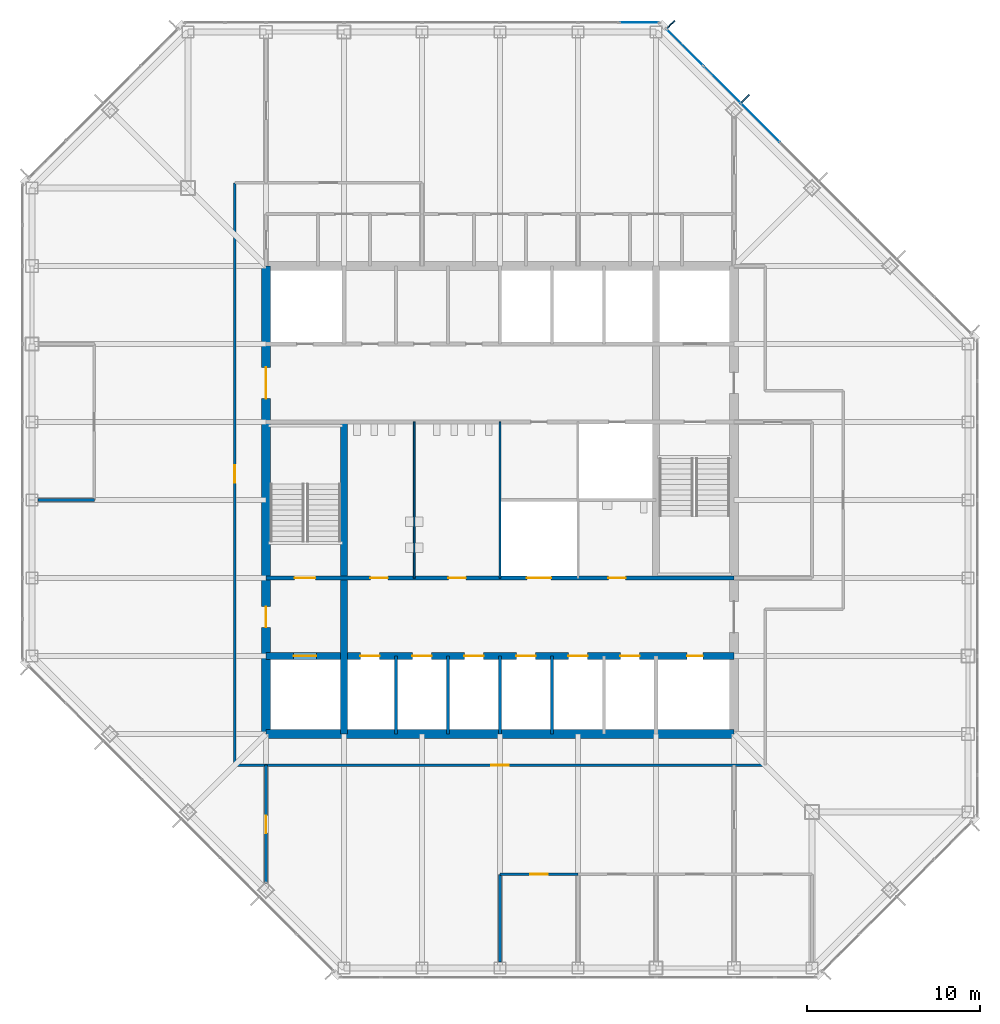
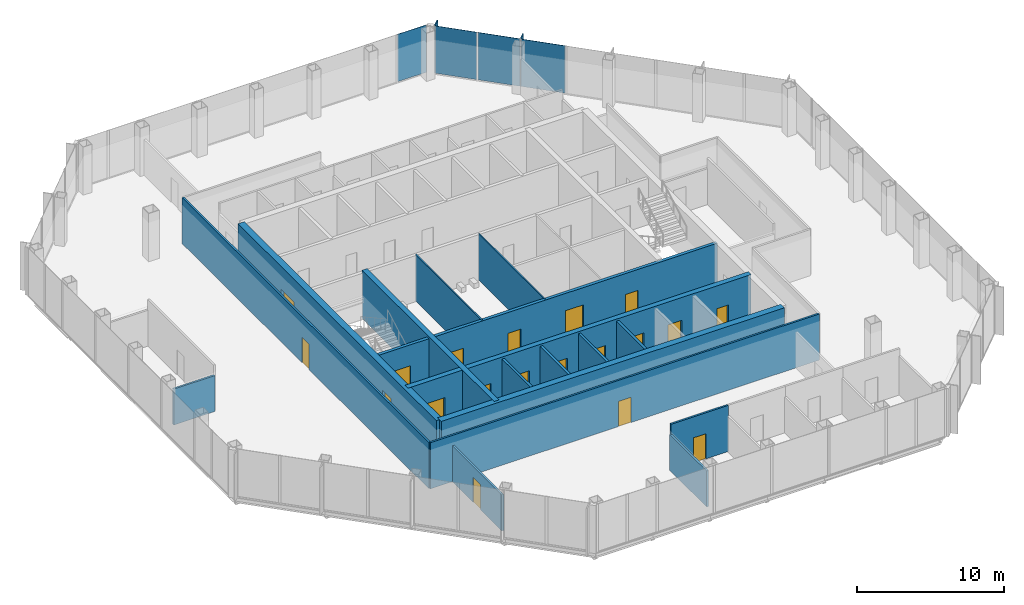
# One storey, part 8 of 12: 19 doors, 17 walls, 6 plates, 19 openings, 2 elements without a shape of their own.
"""IFC4 building model written with IfcOpenShell, lengths in metres."""

from ifc_helpers import new_model, si_unit, direction, frame, frame_2d, origin, origin_2d, place, context, subcontext, project, spatial, rectangle, extrude, material, layer, layer_set, type_object, element, fill, aggregate, save


model = new_model("IFC4")

# Units and contexts
model_context = context("Model", 3, precision=1e-05, world=origin(), true_north=direction((0.0, 1.0)))
body_context = subcontext(model_context, "Body", "Model", "MODEL_VIEW")
ifc_project = project(units=[si_unit("LENGTHUNIT", "METRE"), si_unit("AREAUNIT", "SQUARE_METRE"), si_unit("VOLUMEUNIT", "CUBIC_METRE"), si_unit("PLANEANGLEUNIT", "RADIAN"), si_unit("MASSUNIT", "GRAM", prefix="KILO")], contexts=[model_context])

# Site, building, storey
site_placement = place(None, origin())
site = spatial("IfcSite", under=ifc_project, at=site_placement, CompositionType="ELEMENT")
building_placement = place(site_placement, origin())
building = spatial("IfcBuilding", under=site, at=building_placement, Name="Corais Broadcast Tower", CompositionType="ELEMENT")
storey_placement = place(building_placement, frame((0.0, 0.0, 159.60009765625)))
storey = spatial("IfcBuildingStorey", under=building, at=storey_placement, Name="L36", CompositionType="ELEMENT", Elevation=159.60009765625)

# Curtain wall, plates
ifc_material_1 = material(Name="Aluminium and glass", Category="aluminium")
curtain_wall_type = type_object("IfcCurtainWallType", Name="Unitised fritted curtain wall CW2", PredefinedType="NOTDEFINED", material=ifc_material_1)
curtain_wall_1_placement = place(storey_placement, origin())
curtain_wall_1 = element("IfcCurtainWall", 1, at=curtain_wall_1_placement, inside=storey, type_object=curtain_wall_type, Name="CW2 curtain wall L36 5", PredefinedType="NOTDEFINED")
ifc_material_2 = material(Name="Ceramic-fritted laminated glass", Category="glass")
ifc_layer_1 = layer(ifc_material_2, 0.028076171875)
ifc_layer_set_1 = layer_set([ifc_layer_1], Name="Ceramic-fritted laminated glass")
plate_type_1 = type_object("IfcPlateType", Name="Fritted glass panel CW2", PredefinedType="CURTAIN_PANEL", material=ifc_layer_set_1)
plate_1_placement = place(storey_placement, frame((37.669677734375, 53.108154296875, 0.06494140625), z_axis=(0.0, 0.0, 1.0), x_axis=(0.707106781187, -0.707106781187, 0.0)))
plate_1 = element("IfcPlate", 2, at=plate_1_placement, type_object=plate_type_1, Name="CW2 panel 1", PredefinedType="CURTAIN_PANEL", context=body_context, shape_type="SweptSolid", body=[
    extrude(rectangle(XDim=2.9482421875, YDim=0.028076171875, at=origin_2d()), origin(), (0.0, 0.0, 1.0), 3.93505859375),
])
plate_2_placement = place(storey_placement, frame((42.013916015625, 48.763916015625, 0.06494140625), z_axis=(0.0, 0.0, 1.0), x_axis=(0.707106781187, -0.707106781187, 0.0)))
plate_2 = element("IfcPlate", 3, at=plate_2_placement, type_object=plate_type_1, Name="CW2 panel 3", PredefinedType="CURTAIN_PANEL", context=body_context, shape_type="SweptSolid", body=[
    extrude(rectangle(XDim=3.116943359375, YDim=0.028076171875, at=origin_2d()), origin(), (0.0, 0.0, 1.0), 3.93505859375),
])

# Curtain wall, plate
curtain_wall_2_placement = place(storey_placement, origin())
curtain_wall_2 = element("IfcCurtainWall", 4, at=curtain_wall_2_placement, inside=storey, type_object=curtain_wall_type, Name="CW2 curtain wall L36 4", PredefinedType="NOTDEFINED")
ifc_material_3 = material(Name="Clear laminated glass", Category="glass")
ifc_layer_2 = layer(ifc_material_3, 0.031982421875)
ifc_layer_set_2 = layer_set([ifc_layer_2], Name="Clear laminated glass")
plate_type_2 = type_object("IfcPlateType", Name="Operable glass panel CW2", PredefinedType="CURTAIN_PANEL", material=ifc_layer_set_2)
plate_3_placement = place(storey_placement, frame((35.029541015625, 54.550048828125, 0.06494140625), z_axis=(0.0, 0.0, 1.0), x_axis=(1.0, 0.0, 0.0)))
plate_3 = element("IfcPlate", 5, at=plate_3_placement, type_object=plate_type_2, Name="CW2 operable panel 8", PredefinedType="CURTAIN_PANEL", context=body_context, shape_type="SweptSolid", body=[
    extrude(rectangle(XDim=2.266357421875, YDim=0.031982421875, at=origin_2d()), origin(), (0.0, 0.0, 1.0), 3.93505859375),
])
aggregate(curtain_wall_2, [plate_3])

# Plate
plate_4_placement = place(storey_placement, frame((39.81201171875, 50.9658203125, 0.06494140625), z_axis=(0.0, 0.0, 1.0), x_axis=(0.707106781187, -0.707106781187, 0.0)))
plate_4 = element("IfcPlate", 6, at=plate_4_placement, type_object=plate_type_2, Name="CW2 operable panel 2", PredefinedType="CURTAIN_PANEL", context=body_context, shape_type="SweptSolid", body=[
    extrude(rectangle(XDim=2.98095703125, YDim=0.031982421875, at=origin_2d()), origin(), (0.0, 0.0, 1.0), 3.93505859375),
])

aggregate(curtain_wall_1, [plate_1, plate_4, plate_2])

# Plates
ifc_material_4 = material(Name="Granite stone cladding", Category="masonry")
ifc_layer_3 = layer(ifc_material_4, 0.080078125)
ifc_layer_set_3 = layer_set([ifc_layer_3], Name="Granite stone cladding")
plate_type_3 = type_object("IfcPlateType", Name="Stone screen fin 80x600", PredefinedType="USERDEFINED", material=ifc_layer_set_3)
for number, where, z_axis, x_axis, name in (
    (7, (36.8779296875, 54.447021484375, 0.0), (0.0, 0.0, 1.0), (0.707106781187, -0.707106781187, 0.0), "SF1 stone screen fin L36"),
    (8, (41.16259765625, 50.16259765625, 0.0), (0.0, 0.0, 1.0), (0.707106781187, -0.707106781187, 0.0), "SF1 stone screen fin L36"),
):
    element("IfcPlate", number, at=place(storey_placement, frame(where, z_axis=z_axis, x_axis=x_axis)), inside=storey, type_object=plate_type_3, Name=name, ObjectType="STONE SCREEN FIN", PredefinedType="USERDEFINED", context=body_context, shape_type="SweptSolid", body=[
        extrude(rectangle(XDim=0.080078125, YDim=0.60009765625, at=origin_2d()), origin(), (0.0, 0.0, 1.0), 4.0),
    ])

# Wall, openings, doors
ifc_material_5 = material(Name="Concrete blockwork class A, grouted, two-hour", Category="masonry")
ifc_layer_4 = layer(ifc_material_5, 0.25)
ifc_layer_set_4 = layer_set([ifc_layer_4], Name="Concrete blockwork class A, grouted, two-hour")
wall_type_1 = type_object("IfcWallType", Name="Core lobby wall 250", PredefinedType="SOLIDWALL", material=ifc_layer_set_4)
wall_1_placement = place(storey_placement, frame((13.5, 22.5, 0.0), z_axis=(0.0, 0.0, 1.0), x_axis=(1.0, 0.0, 0.0)))
wall_1 = element("IfcWall", 9, at=wall_1_placement, inside=storey, type_object=wall_type_1, Name="CL2 core lobby wall Y225 L36", PredefinedType="SOLIDWALL", context=body_context, shape_type="SweptSolid", body=[
    extrude(rectangle(XDim=27.0, YDim=0.25, at=frame_2d((13.5, 0.0))), origin(), (0.0, 0.0, 1.0), 3.83984375),
])
opening_1_placement = place(wall_1_placement, frame((1.64990234375, 0.0, 0.0)))
opening_1 = element("IfcOpeningElement", 10, at=opening_1_placement, cuts=wall_1, Name="Opening FD1", PredefinedType="OPENING", context=body_context, shape_type="SweptSolid", body=[
    extrude(rectangle(XDim=1.199951171875, YDim=2.10009765625, at=frame_2d((0.60009765625, 1.050048828125))), frame((0.0, 0.135009765625, 0.0), z_axis=(0.0, -1.0, 0.0), x_axis=(1.0, 0.0, 0.0)), (0.0, 0.0, 1.0), 0.27001953125),
])
opening_2_placement = place(wall_1_placement, frame((6.02490234375, 0.0, 0.0)))
opening_2 = element("IfcOpeningElement", 11, at=opening_2_placement, cuts=wall_1, Name="Opening WD1", PredefinedType="OPENING", context=body_context, shape_type="SweptSolid", body=[
    extrude(rectangle(XDim=1.0, YDim=2.10009765625, at=frame_2d((0.5, 1.050048828125))), frame((0.0, 0.135009765625, 0.0), z_axis=(0.0, -1.0, 0.0), x_axis=(1.0, 0.0, 0.0)), (0.0, 0.0, 1.0), 0.27001953125),
])
opening_3_placement = place(wall_1_placement, frame((10.52490234375, 0.0, 0.0)))
opening_3 = element("IfcOpeningElement", 12, at=opening_3_placement, cuts=wall_1, Name="Opening WD1", PredefinedType="OPENING", context=body_context, shape_type="SweptSolid", body=[
    extrude(rectangle(XDim=1.0, YDim=2.10009765625, at=frame_2d((0.5, 1.050048828125))), frame((0.0, 0.135009765625, 0.0), z_axis=(0.0, -1.0, 0.0), x_axis=(1.0, 0.0, 0.0)), (0.0, 0.0, 1.0), 0.27001953125),
])
opening_4_placement = place(wall_1_placement, frame((19.75, 0.0, 0.0)))
opening_4 = element("IfcOpeningElement", 13, at=opening_4_placement, cuts=wall_1, Name="Opening WD1", PredefinedType="OPENING", context=body_context, shape_type="SweptSolid", body=[
    extrude(rectangle(XDim=1.0, YDim=2.10009765625, at=frame_2d((0.5, 1.050048828125))), frame((0.0, 0.135009765625, 0.0), z_axis=(0.0, -1.0, 0.0), x_axis=(1.0, 0.0, 0.0)), (0.0, 0.0, 1.0), 0.27001953125),
])
opening_5_placement = place(wall_1_placement, frame((15.050048828125, 0.0, 0.0)))
opening_5 = element("IfcOpeningElement", 14, at=opening_5_placement, cuts=wall_1, Name="Opening LD3", PredefinedType="OPENING", context=body_context, shape_type="SweptSolid", body=[
    extrude(rectangle(XDim=1.39990234375, YDim=2.39990234375, at=frame_2d((0.699951171875, 1.199951171875))), frame((0.0, 0.135009765625, 0.0), z_axis=(0.0, -1.0, 0.0), x_axis=(1.0, 0.0, 0.0)), (0.0, 0.0, 1.0), 0.27001953125),
])
ifc_material_6 = material(Name="Steel fire door", Category="steel")
door_type_1 = type_object("IfcDoorType", Name="Fire door 1200x2100", OperationType="SINGLE_SWING_LEFT", PredefinedType="DOOR", material=ifc_material_6)
door_1_placement = place(opening_1_placement, origin())
door_1 = element("IfcDoor", 15, at=door_1_placement, inside=storey, type_object=door_type_1, Name="FD1 stair A door L36", OperationType="SINGLE_SWING_LEFT", OverallHeight=2.10009765625, OverallWidth=1.199951171875, PredefinedType="DOOR", context=body_context, shape_type="SweptSolid", body=[
    extrude(rectangle(XDim=1.199951171875, YDim=2.10009765625, at=frame_2d((0.60009765625, 1.050048828125))), frame((0.0, 0.02490234375, 0.0), z_axis=(0.0, -1.0, 0.0), x_axis=(1.0, 0.0, 0.0)), (0.0, 0.0, 1.0), 0.050048828125),
])
fill(opening_1, door_1)
ifc_material_7 = material(Name="Stainless steel lift door", Category="steel")
door_type_2 = type_object("IfcDoorType", Name="Service lift landing door 1400x2400", OperationType="SLIDING_TO_LEFT", PredefinedType="DOOR", material=ifc_material_7)
door_2_placement = place(opening_5_placement, origin())
door_2 = element("IfcDoor", 16, at=door_2_placement, inside=storey, type_object=door_type_2, Name="LD3 SL1 landing door L36", OperationType="SLIDING_TO_LEFT", OverallHeight=2.39990234375, OverallWidth=1.39990234375, PredefinedType="DOOR", context=body_context, shape_type="SweptSolid", body=[
    extrude(rectangle(XDim=1.39990234375, YDim=2.39990234375, at=frame_2d((0.699951171875, 1.199951171875))), frame((0.0, 0.02490234375, 0.0), z_axis=(0.0, -1.0, 0.0), x_axis=(1.0, 0.0, 0.0)), (0.0, 0.0, 1.0), 0.050048828125),
])
fill(opening_5, door_2)
ifc_material_8 = material(Name="Timber door", Category="wood")
door_type_3 = type_object("IfcDoorType", Name="Toilet door 1000x2100", OperationType="SINGLE_SWING_LEFT", PredefinedType="DOOR", material=ifc_material_8)
door_3_placement = place(opening_2_placement, origin())
door_3 = element("IfcDoor", 17, at=door_3_placement, inside=storey, type_object=door_type_3, Name="WD1 WC male door L36", OperationType="SINGLE_SWING_LEFT", OverallHeight=2.10009765625, OverallWidth=1.0, PredefinedType="DOOR", context=body_context, shape_type="SweptSolid", body=[
    extrude(rectangle(XDim=1.0, YDim=2.10009765625, at=frame_2d((0.5, 1.050048828125))), frame((0.0, 0.02490234375, 0.0), z_axis=(0.0, -1.0, 0.0), x_axis=(1.0, 0.0, 0.0)), (0.0, 0.0, 1.0), 0.050048828125),
])
fill(opening_2, door_3)
door_4_placement = place(opening_3_placement, origin())
door_4 = element("IfcDoor", 18, at=door_4_placement, inside=storey, type_object=door_type_3, Name="WD1 WC female door L36", OperationType="SINGLE_SWING_LEFT", OverallHeight=2.10009765625, OverallWidth=1.0, PredefinedType="DOOR", context=body_context, shape_type="SweptSolid", body=[
    extrude(rectangle(XDim=1.0, YDim=2.10009765625, at=frame_2d((0.5, 1.050048828125))), frame((0.0, 0.02490234375, 0.0), z_axis=(0.0, -1.0, 0.0), x_axis=(1.0, 0.0, 0.0)), (0.0, 0.0, 1.0), 0.050048828125),
])
fill(opening_3, door_4)
door_5_placement = place(opening_4_placement, origin())
door_5 = element("IfcDoor", 19, at=door_5_placement, inside=storey, type_object=door_type_3, Name="WD1 accessible WC door L36", OperationType="SINGLE_SWING_RIGHT", OverallHeight=2.10009765625, OverallWidth=1.0, PredefinedType="DOOR", context=body_context, shape_type="SweptSolid", body=[
    extrude(rectangle(XDim=1.0, YDim=2.10009765625, at=frame_2d((0.5, 1.050048828125))), frame((0.0, 0.02490234375, 0.0), z_axis=(0.0, -1.0, 0.0), x_axis=(1.0, 0.0, 0.0)), (0.0, 0.0, 1.0), 0.050048828125),
])
fill(opening_4, door_5)

# Wall
ifc_material_9 = material(Name="Concrete C50/60", Category="concrete")
ifc_layer_5 = layer(ifc_material_9, 0.39990234375)
ifc_layer_set_5 = layer_set([ifc_layer_5], Name="Concrete C50/60")
wall_type_2 = type_object("IfcWallType", Name="Core wall 400", PredefinedType="SHEAR", material=ifc_layer_set_5)
wall_2_placement = place(storey_placement, frame((18.0, 13.5, 0.0), z_axis=(0.0, 0.0, 1.0), x_axis=(0.0, 1.0, 0.0)))
element("IfcWall", 20, at=wall_2_placement, inside=storey, type_object=wall_type_2, Name="CR400 core wall X18A L36", PredefinedType="SHEAR", context=body_context, shape_type="SweptSolid", body=[
    extrude(rectangle(XDim=18.0, YDim=0.39990234375, at=frame_2d((9.0, 0.0))), origin(), (0.0, 0.0, 1.0), 4.0),
])

# Wall, openings, doors
wall_3_placement = place(storey_placement, frame((13.5, 18.0, 0.0), z_axis=(0.0, 0.0, 1.0), x_axis=(1.0, 0.0, 0.0)))
wall_3 = element("IfcWall", 21, at=wall_3_placement, inside=storey, type_object=wall_type_2, Name="CR400 core wall Y18 L36", PredefinedType="SHEAR", context=body_context, shape_type="SweptSolid", body=[
    extrude(rectangle(XDim=27.0, YDim=0.39990234375, at=frame_2d((13.5, 0.0))), origin(), (0.0, 0.0, 1.0), 4.0),
])
opening_6_placement = place(wall_3_placement, frame((24.300048828125, 0.0, 0.0)))
opening_6 = element("IfcOpeningElement", 22, at=opening_6_placement, cuts=wall_3, Name="Opening RD1", PredefinedType="OPENING", context=body_context, shape_type="SweptSolid", body=[
    extrude(rectangle(XDim=0.89990234375, YDim=2.10009765625, at=frame_2d((0.449951171875, 1.050048828125))), frame((0.0, 0.2099609375, 0.0), z_axis=(0.0, -1.0, 0.0), x_axis=(1.0, 0.0, 0.0)), (0.0, 0.0, 1.0), 0.419921875),
])
opening_7_placement = place(wall_3_placement, frame((5.449951171875, 0.0, 0.0)))
opening_7 = element("IfcOpeningElement", 23, at=opening_7_placement, cuts=wall_3, Name="Opening LD1", PredefinedType="OPENING", context=body_context, shape_type="SweptSolid", body=[
    extrude(rectangle(XDim=1.10009765625, YDim=2.10009765625, at=frame_2d((0.550048828125, 1.050048828125))), frame((0.0, 0.2099609375, 0.0), z_axis=(0.0, -1.0, 0.0), x_axis=(1.0, 0.0, 0.0)), (0.0, 0.0, 1.0), 0.419921875),
])
opening_8_placement = place(wall_3_placement, frame((8.449951171875, 0.0, 0.0)))
opening_8 = element("IfcOpeningElement", 24, at=opening_8_placement, cuts=wall_3, Name="Opening LD1", PredefinedType="OPENING", context=body_context, shape_type="SweptSolid", body=[
    extrude(rectangle(XDim=1.10009765625, YDim=2.10009765625, at=frame_2d((0.550048828125, 1.050048828125))), frame((0.0, 0.2099609375, 0.0), z_axis=(0.0, -1.0, 0.0), x_axis=(1.0, 0.0, 0.0)), (0.0, 0.0, 1.0), 0.419921875),
])
opening_9_placement = place(wall_3_placement, frame((11.449951171875, 0.0, 0.0)))
opening_9 = element("IfcOpeningElement", 25, at=opening_9_placement, cuts=wall_3, Name="Opening LD1", PredefinedType="OPENING", context=body_context, shape_type="SweptSolid", body=[
    extrude(rectangle(XDim=1.10009765625, YDim=2.10009765625, at=frame_2d((0.550048828125, 1.050048828125))), frame((0.0, 0.2099609375, 0.0), z_axis=(0.0, -1.0, 0.0), x_axis=(1.0, 0.0, 0.0)), (0.0, 0.0, 1.0), 0.419921875),
])
opening_10_placement = place(wall_3_placement, frame((14.449951171875, 0.0, 0.0)))
opening_10 = element("IfcOpeningElement", 26, at=opening_10_placement, cuts=wall_3, Name="Opening LD1", PredefinedType="OPENING", context=body_context, shape_type="SweptSolid", body=[
    extrude(rectangle(XDim=1.10009765625, YDim=2.10009765625, at=frame_2d((0.550048828125, 1.050048828125))), frame((0.0, 0.2099609375, 0.0), z_axis=(0.0, -1.0, 0.0), x_axis=(1.0, 0.0, 0.0)), (0.0, 0.0, 1.0), 0.419921875),
])
opening_11_placement = place(wall_3_placement, frame((17.449951171875, 0.0, 0.0)))
opening_11 = element("IfcOpeningElement", 27, at=opening_11_placement, cuts=wall_3, Name="Opening LD1", PredefinedType="OPENING", context=body_context, shape_type="SweptSolid", body=[
    extrude(rectangle(XDim=1.10009765625, YDim=2.10009765625, at=frame_2d((0.550048828125, 1.050048828125))), frame((0.0, 0.2099609375, 0.0), z_axis=(0.0, -1.0, 0.0), x_axis=(1.0, 0.0, 0.0)), (0.0, 0.0, 1.0), 0.419921875),
])
opening_12_placement = place(wall_3_placement, frame((20.449951171875, 0.0, 0.0)))
opening_12 = element("IfcOpeningElement", 28, at=opening_12_placement, cuts=wall_3, Name="Opening LD1", PredefinedType="OPENING", context=body_context, shape_type="SweptSolid", body=[
    extrude(rectangle(XDim=1.10009765625, YDim=2.10009765625, at=frame_2d((0.550048828125, 1.050048828125))), frame((0.0, 0.2099609375, 0.0), z_axis=(0.0, -1.0, 0.0), x_axis=(1.0, 0.0, 0.0)), (0.0, 0.0, 1.0), 0.419921875),
])
opening_13_placement = place(wall_3_placement, frame((1.60009765625, 0.0, 0.0)))
opening_13 = element("IfcOpeningElement", 29, at=opening_13_placement, cuts=wall_3, Name="Opening LD2", PredefinedType="OPENING", context=body_context, shape_type="SweptSolid", body=[
    extrude(rectangle(XDim=1.300048828125, YDim=2.199951171875, at=frame_2d((0.64990234375, 1.10009765625))), frame((0.0, 0.2099609375, 0.0), z_axis=(0.0, -1.0, 0.0), x_axis=(1.0, 0.0, 0.0)), (0.0, 0.0, 1.0), 0.419921875),
])
ifc_material_10 = material(Name="Stainless steel lift door", Category="steel")
door_type_4 = type_object("IfcDoorType", Name="Lift landing door 1100x2100", OperationType="SLIDING_TO_LEFT", PredefinedType="DOOR", material=ifc_material_10)
door_6_placement = place(opening_7_placement, origin())
door_6 = element("IfcDoor", 30, at=door_6_placement, inside=storey, type_object=door_type_4, Name="LD1 PM1 landing door L36", OperationType="SLIDING_TO_LEFT", OverallHeight=2.10009765625, OverallWidth=1.10009765625, PredefinedType="DOOR", context=body_context, shape_type="SweptSolid", body=[
    extrude(rectangle(XDim=1.10009765625, YDim=2.10009765625, at=frame_2d((0.550048828125, 1.050048828125))), frame((0.0, 0.02490234375, 0.0), z_axis=(0.0, -1.0, 0.0), x_axis=(1.0, 0.0, 0.0)), (0.0, 0.0, 1.0), 0.050048828125),
])
fill(opening_7, door_6)
door_7_placement = place(opening_8_placement, origin())
door_7 = element("IfcDoor", 31, at=door_7_placement, inside=storey, type_object=door_type_4, Name="LD1 PM2 landing door L36", OperationType="SLIDING_TO_LEFT", OverallHeight=2.10009765625, OverallWidth=1.10009765625, PredefinedType="DOOR", context=body_context, shape_type="SweptSolid", body=[
    extrude(rectangle(XDim=1.10009765625, YDim=2.10009765625, at=frame_2d((0.550048828125, 1.050048828125))), frame((0.0, 0.02490234375, 0.0), z_axis=(0.0, -1.0, 0.0), x_axis=(1.0, 0.0, 0.0)), (0.0, 0.0, 1.0), 0.050048828125),
])
fill(opening_8, door_7)
door_8_placement = place(opening_9_placement, origin())
door_8 = element("IfcDoor", 32, at=door_8_placement, inside=storey, type_object=door_type_4, Name="LD1 PM3 landing door L36", OperationType="SLIDING_TO_LEFT", OverallHeight=2.10009765625, OverallWidth=1.10009765625, PredefinedType="DOOR", context=body_context, shape_type="SweptSolid", body=[
    extrude(rectangle(XDim=1.10009765625, YDim=2.10009765625, at=frame_2d((0.550048828125, 1.050048828125))), frame((0.0, 0.02490234375, 0.0), z_axis=(0.0, -1.0, 0.0), x_axis=(1.0, 0.0, 0.0)), (0.0, 0.0, 1.0), 0.050048828125),
])
fill(opening_9, door_8)
door_9_placement = place(opening_10_placement, origin())
door_9 = element("IfcDoor", 33, at=door_9_placement, inside=storey, type_object=door_type_4, Name="LD1 PM4 landing door L36", OperationType="SLIDING_TO_LEFT", OverallHeight=2.10009765625, OverallWidth=1.10009765625, PredefinedType="DOOR", context=body_context, shape_type="SweptSolid", body=[
    extrude(rectangle(XDim=1.10009765625, YDim=2.10009765625, at=frame_2d((0.550048828125, 1.050048828125))), frame((0.0, 0.02490234375, 0.0), z_axis=(0.0, -1.0, 0.0), x_axis=(1.0, 0.0, 0.0)), (0.0, 0.0, 1.0), 0.050048828125),
])
fill(opening_10, door_9)
door_10_placement = place(opening_11_placement, origin())
door_10 = element("IfcDoor", 34, at=door_10_placement, inside=storey, type_object=door_type_4, Name="LD1 PM5 landing door L36", OperationType="SLIDING_TO_LEFT", OverallHeight=2.10009765625, OverallWidth=1.10009765625, PredefinedType="DOOR", context=body_context, shape_type="SweptSolid", body=[
    extrude(rectangle(XDim=1.10009765625, YDim=2.10009765625, at=frame_2d((0.550048828125, 1.050048828125))), frame((0.0, 0.02490234375, 0.0), z_axis=(0.0, -1.0, 0.0), x_axis=(1.0, 0.0, 0.0)), (0.0, 0.0, 1.0), 0.050048828125),
])
fill(opening_11, door_10)
door_11_placement = place(opening_12_placement, origin())
door_11 = element("IfcDoor", 35, at=door_11_placement, inside=storey, type_object=door_type_4, Name="LD1 PM6 landing door L36", OperationType="SLIDING_TO_LEFT", OverallHeight=2.10009765625, OverallWidth=1.10009765625, PredefinedType="DOOR", context=body_context, shape_type="SweptSolid", body=[
    extrude(rectangle(XDim=1.10009765625, YDim=2.10009765625, at=frame_2d((0.550048828125, 1.050048828125))), frame((0.0, 0.02490234375, 0.0), z_axis=(0.0, -1.0, 0.0), x_axis=(1.0, 0.0, 0.0)), (0.0, 0.0, 1.0), 0.050048828125),
])
fill(opening_12, door_11)
ifc_material_11 = material(Name="Stainless steel lift door", Category="steel")
door_type_5 = type_object("IfcDoorType", Name="Lift landing door 1300x2200", OperationType="SLIDING_TO_LEFT", PredefinedType="DOOR", material=ifc_material_11)
door_12_placement = place(opening_13_placement, origin())
door_12 = element("IfcDoor", 36, at=door_12_placement, inside=storey, type_object=door_type_5, Name="LD2 FL1 landing door L36", OperationType="SLIDING_TO_LEFT", OverallHeight=2.199951171875, OverallWidth=1.300048828125, PredefinedType="DOOR", context=body_context, shape_type="SweptSolid", body=[
    extrude(rectangle(XDim=1.300048828125, YDim=2.199951171875, at=frame_2d((0.64990234375, 1.10009765625))), frame((0.0, 0.02490234375, 0.0), z_axis=(0.0, -1.0, 0.0), x_axis=(1.0, 0.0, 0.0)), (0.0, 0.0, 1.0), 0.050048828125),
])
fill(opening_13, door_12)
ifc_material_12 = material(Name="Steel fire door", Category="steel")
door_type_6 = type_object("IfcDoorType", Name="Riser door 900x2100", OperationType="SINGLE_SWING_LEFT", PredefinedType="DOOR", material=ifc_material_12)
door_13_placement = place(opening_6_placement, origin())
door_13 = element("IfcDoor", 37, at=door_13_placement, inside=storey, type_object=door_type_6, Name="RD1 riser door L36", OperationType="SINGLE_SWING_RIGHT", OverallHeight=2.10009765625, OverallWidth=0.89990234375, PredefinedType="DOOR", context=body_context, shape_type="SweptSolid", body=[
    extrude(rectangle(XDim=0.89990234375, YDim=2.10009765625, at=frame_2d((0.449951171875, 1.050048828125))), frame((0.0, 0.02490234375, 0.0), z_axis=(0.0, -1.0, 0.0), x_axis=(1.0, 0.0, 0.0)), (0.0, 0.0, 1.0), 0.050048828125),
])
fill(opening_6, door_13)

# Wall
ifc_material_13 = material(Name="Concrete C50/60", Category="concrete")
ifc_layer_6 = layer(ifc_material_13, 0.5)
ifc_layer_set_6 = layer_set([ifc_layer_6], Name="Concrete C50/60")
wall_type_3 = type_object("IfcWallType", Name="Core wall 500", PredefinedType="SHEAR", material=ifc_layer_set_6)
wall_4_placement = place(storey_placement, frame((13.5, 13.5, 0.0), z_axis=(0.0, 0.0, 1.0), x_axis=(1.0, 0.0, 0.0)))
element("IfcWall", 38, at=wall_4_placement, inside=storey, type_object=wall_type_3, Name="CR500 core wall S L36", PredefinedType="SHEAR", context=body_context, shape_type="SweptSolid", body=[
    extrude(rectangle(XDim=27.0, YDim=0.5, at=frame_2d((13.5, 0.0))), origin(), (0.0, 0.0, 1.0), 4.0),
])

# Wall, openings, doors
wall_5_placement = place(storey_placement, frame((13.5, 40.5, 0.0), z_axis=(0.0, 0.0, 1.0), x_axis=(0.0, -1.0, 0.0)))
wall_5 = element("IfcWall", 39, at=wall_5_placement, inside=storey, type_object=wall_type_3, Name="CR500 core wall W L36", PredefinedType="SHEAR", context=body_context, shape_type="SweptSolid", body=[
    extrude(rectangle(XDim=27.0, YDim=0.5, at=frame_2d((13.5, 0.0))), origin(), (0.0, 0.0, 1.0), 4.0),
])
opening_14_placement = place(wall_5_placement, frame((19.64990234375, 0.0, 0.0)))
opening_14 = element("IfcOpeningElement", 40, at=opening_14_placement, cuts=wall_5, Name="Opening FD1", PredefinedType="OPENING", context=body_context, shape_type="SweptSolid", body=[
    extrude(rectangle(XDim=1.199951171875, YDim=2.10009765625, at=frame_2d((0.60009765625, 1.050048828125))), frame((0.0, 0.260009765625, 0.0), z_axis=(0.0, -1.0, 0.0), x_axis=(1.0, 0.0, 0.0)), (0.0, 0.0, 1.0), 0.52001953125),
])
opening_15_placement = place(wall_5_placement, frame((5.85009765625, 0.0, 0.0)))
opening_15 = element("IfcOpeningElement", 41, at=opening_15_placement, cuts=wall_5, Name="Opening FD2", PredefinedType="OPENING", context=body_context, shape_type="SweptSolid", body=[
    extrude(rectangle(XDim=1.800048828125, YDim=2.10009765625, at=frame_2d((0.89990234375, 1.050048828125))), frame((0.0, 0.260009765625, 0.0), z_axis=(0.0, -1.0, 0.0), x_axis=(1.0, 0.0, 0.0)), (0.0, 0.0, 1.0), 0.52001953125),
])
door_14_placement = place(opening_14_placement, origin())
door_14 = element("IfcDoor", 42, at=door_14_placement, inside=storey, type_object=door_type_1, Name="FD1 fire lobby A door L36", OperationType="SINGLE_SWING_RIGHT", OverallHeight=2.10009765625, OverallWidth=1.199951171875, PredefinedType="DOOR", context=body_context, shape_type="SweptSolid", body=[
    extrude(rectangle(XDim=1.199951171875, YDim=2.10009765625, at=frame_2d((0.60009765625, 1.050048828125))), frame((0.0, 0.02490234375, 0.0), z_axis=(0.0, -1.0, 0.0), x_axis=(1.0, 0.0, 0.0)), (0.0, 0.0, 1.0), 0.050048828125),
])
fill(opening_14, door_14)
ifc_material_14 = material(Name="Steel fire door", Category="steel")
door_type_7 = type_object("IfcDoorType", Name="Fire door pair 1800x2100", OperationType="DOUBLE_DOOR_SINGLE_SWING", PredefinedType="DOOR", material=ifc_material_14)
door_15_placement = place(opening_15_placement, origin())
door_15 = element("IfcDoor", 43, at=door_15_placement, inside=storey, type_object=door_type_7, Name="FD2 lift lobby door L36", OperationType="SINGLE_SWING_LEFT", OverallHeight=2.10009765625, OverallWidth=1.800048828125, PredefinedType="DOOR", context=body_context, shape_type="SweptSolid", body=[
    extrude(rectangle(XDim=1.800048828125, YDim=2.10009765625, at=frame_2d((0.89990234375, 1.050048828125))), frame((0.0, 0.02490234375, 0.0), z_axis=(0.0, -1.0, 0.0), x_axis=(1.0, 0.0, 0.0)), (0.0, 0.0, 1.0), 0.050048828125),
])
fill(opening_15, door_15)

# Wall, opening, door
ifc_material_15 = material(Name="Gypsum board on steel studs", Category="steel")
ifc_layer_7 = layer(ifc_material_15, 0.14990234375)
ifc_layer_set_7 = layer_set([ifc_layer_7], Name="Gypsum board on steel studs")
wall_type_4 = type_object("IfcWallType", Name="Partition 150", PredefinedType="PARTITIONING", material=ifc_layer_set_7)
wall_6_placement = place(storey_placement, frame((11.699951171875, 45.300048828125, 0.0), z_axis=(0.0, 0.0, 1.0), x_axis=(0.0, -1.0, 0.0)))
wall_6 = element("IfcWall", 44, at=wall_6_placement, inside=storey, type_object=wall_type_4, Name="IW3 corridor wall L36", PredefinedType="PARTITIONING", context=body_context, shape_type="SweptSolid", body=[
    extrude(rectangle(XDim=33.60009765625, YDim=0.14990234375, at=frame_2d((16.800048828125, 0.0))), origin(), (0.0, 0.0, 1.0), 3.83984375),
])
opening_16_placement = place(wall_6_placement, frame((16.300048828125, 0.0, 0.0)))
opening_16 = element("IfcOpeningElement", 45, at=opening_16_placement, cuts=wall_6, Name="Opening D1", PredefinedType="OPENING", context=body_context, shape_type="SweptSolid", body=[
    extrude(rectangle(XDim=1.0, YDim=2.10009765625, at=frame_2d((0.5, 1.050048828125))), frame((0.0, 0.0849609375, 0.0), z_axis=(0.0, -1.0, 0.0), x_axis=(1.0, 0.0, 0.0)), (0.0, 0.0, 1.0), 0.169921875),
])
ifc_material_16 = material(Name="Timber door", Category="wood")
door_type_8 = type_object("IfcDoorType", Name="Single door 1000x2100", OperationType="SINGLE_SWING_LEFT", PredefinedType="DOOR", material=ifc_material_16)
door_16_placement = place(opening_16_placement, origin())
door_16 = element("IfcDoor", 46, at=door_16_placement, inside=storey, type_object=door_type_8, Name="D1 workplace door L36", OperationType="SINGLE_SWING_LEFT", OverallHeight=2.10009765625, OverallWidth=1.0, PredefinedType="DOOR", context=body_context, shape_type="SweptSolid", body=[
    extrude(rectangle(XDim=1.0, YDim=2.10009765625, at=frame_2d((0.5, 1.050048828125))), frame((0.0, 0.02490234375, 0.0), z_axis=(0.0, -1.0, 0.0), x_axis=(1.0, 0.0, 0.0)), (0.0, 0.0, 1.0), 0.050048828125),
])
fill(opening_16, door_16)

wall_7_placement = place(storey_placement, frame((11.699951171875, 11.699951171875, 0.0), z_axis=(0.0, 0.0, 1.0), x_axis=(1.0, 0.0, 0.0)))
wall_7 = element("IfcWall", 47, at=wall_7_placement, inside=storey, type_object=wall_type_4, Name="IW3 corridor wall L36", PredefinedType="PARTITIONING", context=body_context, shape_type="SweptSolid", body=[
    extrude(rectangle(XDim=30.60009765625, YDim=0.14990234375, at=frame_2d((15.300048828125, 0.0))), origin(), (0.0, 0.0, 1.0), 3.83984375),
])
opening_17_placement = place(wall_7_placement, frame((14.800048828125, 0.0, 0.0)))
opening_17 = element("IfcOpeningElement", 48, at=opening_17_placement, cuts=wall_7, Name="Opening D1", PredefinedType="OPENING", context=body_context, shape_type="SweptSolid", body=[
    extrude(rectangle(XDim=1.0, YDim=2.10009765625, at=frame_2d((0.5, 1.050048828125))), frame((0.0, 0.0849609375, 0.0), z_axis=(0.0, -1.0, 0.0), x_axis=(1.0, 0.0, 0.0)), (0.0, 0.0, 1.0), 0.169921875),
])
door_17_placement = place(opening_17_placement, origin())
door_17 = element("IfcDoor", 49, at=door_17_placement, inside=storey, type_object=door_type_8, Name="D1 workplace door L36", OperationType="SINGLE_SWING_LEFT", OverallHeight=2.10009765625, OverallWidth=1.0, PredefinedType="DOOR", context=body_context, shape_type="SweptSolid", body=[
    extrude(rectangle(XDim=1.0, YDim=2.10009765625, at=frame_2d((0.5, 1.050048828125))), frame((0.0, 0.02490234375, 0.0), z_axis=(0.0, -1.0, 0.0), x_axis=(1.0, 0.0, 0.0)), (0.0, 0.0, 1.0), 0.050048828125),
])
fill(opening_17, door_17)

wall_8_placement = place(storey_placement, frame((31.5, 5.39990234375, 0.0), z_axis=(0.0, 0.0, 1.0), x_axis=(-1.0, 0.0, 0.0)))
wall_8 = element("IfcWall", 50, at=wall_8_placement, inside=storey, type_object=wall_type_4, Name="IW3 partition L36", PredefinedType="PARTITIONING", context=body_context, shape_type="SweptSolid", body=[
    extrude(rectangle(XDim=4.5, YDim=0.14990234375, at=frame_2d((2.25, 0.0))), origin(), (0.0, 0.0, 1.0), 3.83984375),
])
opening_18_placement = place(wall_8_placement, frame((1.75, 0.0, 0.0)))
opening_18 = element("IfcOpeningElement", 51, at=opening_18_placement, cuts=wall_8, Name="Opening D1", PredefinedType="OPENING", context=body_context, shape_type="SweptSolid", body=[
    extrude(rectangle(XDim=1.0, YDim=2.10009765625, at=frame_2d((0.5, 1.050048828125))), frame((0.0, 0.0849609375, 0.0), z_axis=(0.0, -1.0, 0.0), x_axis=(1.0, 0.0, 0.0)), (0.0, 0.0, 1.0), 0.169921875),
])
door_18_placement = place(opening_18_placement, origin())
door_18 = element("IfcDoor", 52, at=door_18_placement, inside=storey, type_object=door_type_8, Name="D1 Office door", OperationType="SINGLE_SWING_LEFT", OverallHeight=2.10009765625, OverallWidth=1.0, PredefinedType="DOOR", context=body_context, shape_type="SweptSolid", body=[
    extrude(rectangle(XDim=1.0, YDim=2.10009765625, at=frame_2d((0.5, 1.050048828125))), frame((0.0, 0.02490234375, 0.0), z_axis=(0.0, -1.0, 0.0), x_axis=(1.0, 0.0, 0.0)), (0.0, 0.0, 1.0), 0.050048828125),
])
fill(opening_18, door_18)

# Walls
wall_9_placement = place(storey_placement, frame((27.0, 5.39990234375, 0.0), z_axis=(0.0, 0.0, 1.0), x_axis=(0.0, -1.0, 0.0)))
element("IfcWall", 53, at=wall_9_placement, inside=storey, type_object=wall_type_4, Name="IW3 partition L36", PredefinedType="PARTITIONING", context=body_context, shape_type="SweptSolid", body=[
    extrude(rectangle(XDim=5.039794921875, YDim=0.14990234375, at=frame_2d((2.52001953125, 0.0))), origin(), (0.0, 0.0, 1.0), 2.989013671875),
])
wall_10_placement = place(storey_placement, frame((0.360107421875, 27.0, 0.0), z_axis=(0.0, 0.0, 1.0), x_axis=(1.0, 0.0, 0.0)))
element("IfcWall", 54, at=wall_10_placement, inside=storey, type_object=wall_type_4, Name="IW3 partition L36", PredefinedType="PARTITIONING", context=body_context, shape_type="SweptSolid", body=[
    extrude(rectangle(XDim=3.239990234375, YDim=0.14990234375, at=frame_2d((1.6201171875, 0.0))), origin(), (0.0, 0.0, 1.0), 2.989013671875),
])

# Wall, opening, door
wall_11_placement = place(storey_placement, frame((13.5, 4.8701171875, 0.0), z_axis=(0.0, 0.0, 1.0), x_axis=(0.0, 1.0, 0.0)))
wall_11 = element("IfcWall", 55, at=wall_11_placement, inside=storey, type_object=wall_type_4, Name="IW3 partition L36", PredefinedType="PARTITIONING", context=body_context, shape_type="SweptSolid", body=[
    extrude(rectangle(XDim=6.829833984375, YDim=0.14990234375, at=frame_2d((3.4150390625, 0.0))), origin(), (0.0, 0.0, 1.0), 2.989013671875),
])
opening_19_placement = place(wall_11_placement, frame((2.9150390625, 0.0, 0.0)))
opening_19 = element("IfcOpeningElement", 56, at=opening_19_placement, cuts=wall_11, Name="Opening D1", PredefinedType="OPENING", context=body_context, shape_type="SweptSolid", body=[
    extrude(rectangle(XDim=1.0, YDim=2.10009765625, at=frame_2d((0.5, 1.050048828125))), frame((0.0, 0.0849609375, 0.0), z_axis=(0.0, -1.0, 0.0), x_axis=(1.0, 0.0, 0.0)), (0.0, 0.0, 1.0), 0.169921875),
])
door_19_placement = place(opening_19_placement, origin())
door_19 = element("IfcDoor", 57, at=door_19_placement, inside=storey, type_object=door_type_8, Name="D1 team room door L36", OperationType="SINGLE_SWING_LEFT", OverallHeight=2.10009765625, OverallWidth=1.0, PredefinedType="DOOR", context=body_context, shape_type="SweptSolid", body=[
    extrude(rectangle(XDim=1.0, YDim=2.10009765625, at=frame_2d((0.5, 1.050048828125))), frame((0.0, 0.02490234375, 0.0), z_axis=(0.0, -1.0, 0.0), x_axis=(1.0, 0.0, 0.0)), (0.0, 0.0, 1.0), 0.050048828125),
])
fill(opening_19, door_19)

# Walls
ifc_material_17 = material(Name="Concrete blockwork class A, grouted, two-hour", Category="masonry")
ifc_layer_8 = layer(ifc_material_17, 0.199951171875)
ifc_layer_set_8 = layer_set([ifc_layer_8], Name="Concrete blockwork class A, grouted, two-hour")
wall_type_5 = type_object("IfcWallType", Name="Shaft wall 200", PredefinedType="PARTITIONING", material=ifc_layer_set_8)
for number, where, z_axis, x_axis, name in (
    (58, (21.0, 13.5, 0.0), (0.0, 0.0, 1.0), (0.0, 1.0, 0.0), "IW1 shaft wall L36"),
    (59, (24.0, 13.5, 0.0), (0.0, 0.0, 1.0), (0.0, 1.0, 0.0), "IW1 shaft wall L36"),
    (60, (27.0, 13.5, 0.0), (0.0, 0.0, 1.0), (0.0, 1.0, 0.0), "IW1 shaft wall L36"),
    (61, (30.0, 13.5, 0.0), (0.0, 0.0, 1.0), (0.0, 1.0, 0.0), "IW1 shaft wall L36"),
):
    element("IfcWall", number, at=place(storey_placement, frame(where, z_axis=z_axis, x_axis=x_axis)), inside=storey, type_object=wall_type_5, Name=name, PredefinedType="PARTITIONING", context=body_context, shape_type="SweptSolid", body=[
        extrude(rectangle(XDim=4.5, YDim=0.199951171875, at=frame_2d((2.25, 0.0))), origin(), (0.0, 0.0, 1.0), 3.83984375),
    ])
ifc_material_18 = material(Name="Dense concrete blockwork class A, tiled both faces", Category="masonry")
ifc_layer_9 = layer(ifc_material_18, 0.10009765625)
ifc_layer_set_9 = layer_set([ifc_layer_9], Name="Dense concrete blockwork class A, tiled both faces")
wall_type_6 = type_object("IfcWallType", Name="Toilet wall 100", PredefinedType="PLUMBINGWALL", material=ifc_layer_set_9)
for number, where, z_axis, x_axis, name in (
    (62, (22.050048828125, 22.5, 0.0), (0.0, 0.0, 1.0), (0.0, 1.0, 0.0), "IW2 toilet wall L36"),
    (63, (27.0, 22.5, 0.0), (0.0, 0.0, 1.0), (0.0, 1.0, 0.0), "IW2 toilet wall L36"),
):
    element("IfcWall", number, at=place(storey_placement, frame(where, z_axis=z_axis, x_axis=x_axis)), inside=storey, type_object=wall_type_6, Name=name, PredefinedType="PLUMBINGWALL", context=body_context, shape_type="SweptSolid", body=[
        extrude(rectangle(XDim=9.0, YDim=0.10009765625, at=frame_2d((4.5, 0.0))), origin(), (0.0, 0.0, 1.0), 3.83984375),
    ])

save(model, "model.ifc")
